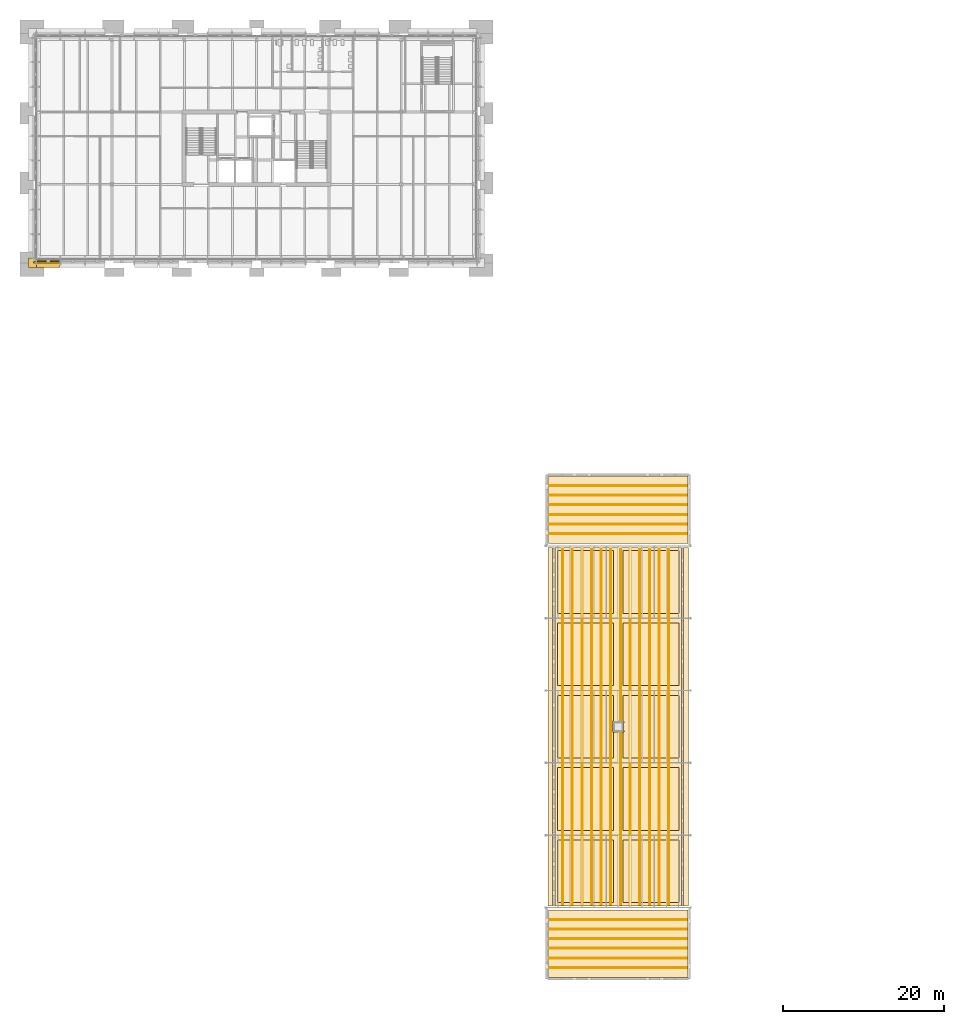
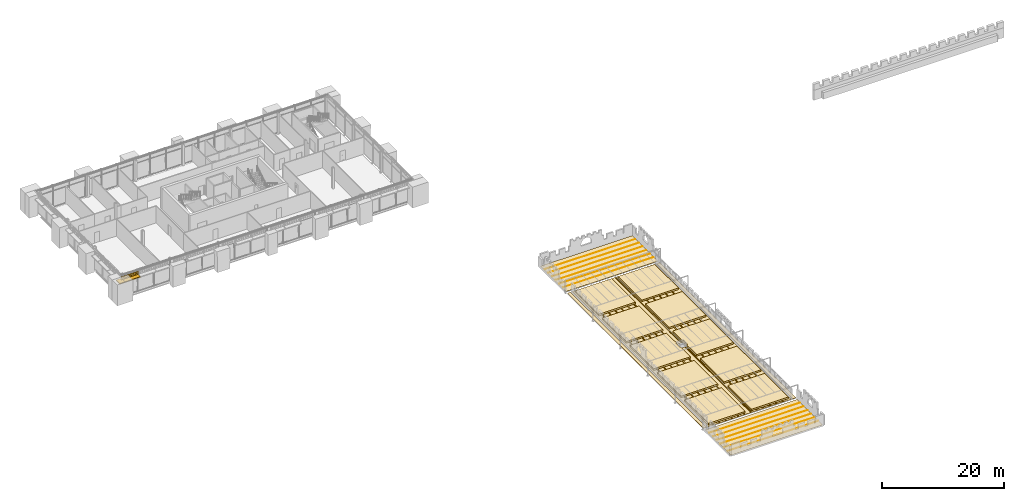
# One storey, part 30 of 37: 40 coverings, 3 shading devices.
"""IFC4 building model written with IfcOpenShell, lengths in metres."""

from ifc_helpers import new_model, si_unit, direction, frame, origin, origin_2d, place, context, subcontext, project, spatial, polyline, rectangle, outline, extrude, material, layer, layer_set, type_object, element, save


model = new_model("IFC4")

# Units and contexts
model_context = context("Model", 3, precision=1e-05, world=origin(), true_north=direction((0.0, 1.0)))
body_context = subcontext(model_context, "Body", "Model", "MODEL_VIEW")
ifc_project = project(units=[si_unit("LENGTHUNIT", "METRE"), si_unit("AREAUNIT", "SQUARE_METRE"), si_unit("VOLUMEUNIT", "CUBIC_METRE"), si_unit("PLANEANGLEUNIT", "RADIAN"), si_unit("MASSUNIT", "GRAM", prefix="KILO")], contexts=[model_context])

# Site, building, storey
site_placement = place(None, origin())
site = spatial("IfcSite", under=ifc_project, at=site_placement, CompositionType="ELEMENT")
building_placement = place(site_placement, origin())
building = spatial("IfcBuilding", under=site, at=building_placement, Name="Baradari Gate Terminus", CompositionType="ELEMENT")
storey_placement = place(building_placement, frame((0.0, 0.0, 24.300048828125)))
storey = spatial("IfcBuildingStorey", under=building, at=storey_placement, Name="L05", CompositionType="ELEMENT", Elevation=24.300048828125)

# Shading devices
ifc_material_1 = material(Name="Concrete C40/50 precast", Category="concrete")
ifc_layer_1 = layer(ifc_material_1, 0.14990234375)
ifc_layer_set_1 = layer_set([ifc_layer_1], Name="Concrete C40/50 precast")
shading_device_type_1 = type_object("IfcShadingDeviceType", Name="Chhajja band CJ-1 900x150", PredefinedType="AWNING", material=ifc_layer_set_1)
shading_device_1_placement = place(storey_placement, frame((10.072265625, 116.080078125, 3.33251953125), z_axis=(0.0, 0.0, 1.0), x_axis=(1.0, 0.0, 0.0)))
element("IfcShadingDevice", 1, at=shading_device_1_placement, inside=storey, type_object=shading_device_type_1, Name="Chhajja band CJ-1 L05/TS bay 1", PredefinedType="AWNING", context=body_context, shape_type="SweptSolid", body=[
    extrude(rectangle(XDim=2.939697265625, YDim=0.89990234375, at=origin_2d()), origin(), (0.0, 0.0, 1.0), 0.14990234375),
])
shading_device_2_placement = place(storey_placement, frame((0.0, 0.0, 3.33251953125)))
element("IfcShadingDevice", 2, at=shading_device_2_placement, inside=storey, type_object=shading_device_type_1, Name="Chhajja band CJ-1 L05/SW corner", PredefinedType="AWNING", context=body_context, shape_type="SweptSolid", body=[
    extrude(outline(polyline([(7.6298828125, 116.802490234375), (8.530029296875, 116.802490234375), (8.530029296875, 116.530029296875), (8.6025390625, 116.530029296875), (8.6025390625, 115.6298828125), (7.6298828125, 115.6298828125), (7.6298828125, 116.802490234375)])), origin(), (0.0, 0.0, 1.0), 0.14990234375),
])
ifc_material_2 = material(Name="Concrete C50/60 precast", Category="concrete")
ifc_layer_2 = layer(ifc_material_2, 0.10009765625)
ifc_layer_set_2 = layer_set([ifc_layer_2], Name="Concrete C50/60 precast")
shading_device_type_2 = type_object("IfcShadingDeviceType", Name="Jali screen panel JS-1 100", PredefinedType="SHUTTER", material=ifc_layer_set_2)
shading_device_3_placement = place(storey_placement, frame((8.262451171875, 116.280029296875, 3.583740234375), z_axis=(0.0, 0.0, 1.0), x_axis=(1.0, 0.0, 0.0)))
element("IfcShadingDevice", 3, at=shading_device_3_placement, inside=storey, type_object=shading_device_type_2, Name="Jali screen panel JS-1 L05/TS bay 1", PredefinedType="SHUTTER", context=body_context, shape_type="SweptSolid", body=[
    extrude(outline(polyline([(0.0, 0.0), (3.2998046875, 0.0), (3.2998046875, 0.599853515625), (0.0, 0.599853515625), (0.0, 0.0)]), holes=[polyline([(0.336181640625, 0.300048828125), (0.271240234375, 0.187255859375), (0.14111328125, 0.187255859375), (0.076171875, 0.300048828125), (0.14111328125, 0.41259765625), (0.271240234375, 0.41259765625), (0.336181640625, 0.300048828125)]), polyline([(0.748779296875, 0.300048828125), (0.68359375, 0.187255859375), (0.5537109375, 0.187255859375), (0.48876953125, 0.300048828125), (0.5537109375, 0.41259765625), (0.68359375, 0.41259765625), (0.748779296875, 0.300048828125)]), polyline([(1.1611328125, 0.300048828125), (1.09619140625, 0.187255859375), (0.966064453125, 0.187255859375), (0.901123046875, 0.300048828125), (0.966064453125, 0.41259765625), (1.09619140625, 0.41259765625), (1.1611328125, 0.300048828125)]), polyline([(1.57373046875, 0.300048828125), (1.508544921875, 0.187255859375), (1.378662109375, 0.187255859375), (1.313720703125, 0.300048828125), (1.378662109375, 0.41259765625), (1.508544921875, 0.41259765625), (1.57373046875, 0.300048828125)]), polyline([(1.986083984375, 0.300048828125), (1.921142578125, 0.187255859375), (1.791015625, 0.187255859375), (1.72607421875, 0.300048828125), (1.791015625, 0.41259765625), (1.921142578125, 0.41259765625), (1.986083984375, 0.300048828125)]), polyline([(2.3984375, 0.300048828125), (2.33349609375, 0.187255859375), (2.20361328125, 0.187255859375), (2.138671875, 0.300048828125), (2.20361328125, 0.41259765625), (2.33349609375, 0.41259765625), (2.3984375, 0.300048828125)]), polyline([(2.81103515625, 0.300048828125), (2.74609375, 0.187255859375), (2.615966796875, 0.187255859375), (2.551025390625, 0.300048828125), (2.615966796875, 0.41259765625), (2.74609375, 0.41259765625), (2.81103515625, 0.300048828125)]), polyline([(3.223388671875, 0.300048828125), (3.158447265625, 0.187255859375), (3.028564453125, 0.187255859375), (2.96337890625, 0.300048828125), (3.028564453125, 0.41259765625), (3.158447265625, 0.41259765625), (3.223388671875, 0.300048828125)])]), frame((0.0, 0.050048828125, 0.0), z_axis=(0.0, -1.0, 0.0), x_axis=(1.0, 0.0, 0.0)), (0.0, 0.0, 1.0), 0.10009765625),
])

# Coverings
ifc_material_3 = material(Name="Planted substrate")
ifc_layer_3 = layer(ifc_material_3, 0.35009765625)
ifc_layer_set_3 = layer_set([ifc_layer_3], Name="Planted substrate")
covering_type_1 = type_object("IfcCoveringType", Name="Planted roof bed GR-1 350", PredefinedType="USERDEFINED", material=ifc_layer_set_3)
covering_1_placement = place(storey_placement, origin())
element("IfcCovering", 4, at=covering_1_placement, inside=storey, type_object=covering_type_1, Name="RF/L05/GRG0101-1", ObjectType="PLANTED BED", PredefinedType="USERDEFINED", context=body_context, shape_type="SweptSolid", body=[
    extrude(outline(polyline([(80.39990234375, 36.60009765625), (73.449951171875, 36.60009765625), (73.449951171875, 44.39990234375), (80.39990234375, 44.39990234375), (80.39990234375, 36.60009765625)])), origin(), (0.0, 0.0, 1.0), 0.349853515625),
])
covering_2_placement = place(storey_placement, origin())
element("IfcCovering", 5, at=covering_2_placement, inside=storey, type_object=covering_type_1, Name="RF/L05/GRG0102-1", ObjectType="PLANTED BED", PredefinedType="USERDEFINED", context=body_context, shape_type="SweptSolid", body=[
    extrude(outline(polyline([(80.39990234375, 45.60009765625), (73.449951171875, 45.60009765625), (73.449951171875, 53.39990234375), (80.39990234375, 53.39990234375), (80.39990234375, 45.60009765625)])), origin(), (0.0, 0.0, 1.0), 0.349853515625),
])
covering_3_placement = place(storey_placement, origin())
element("IfcCovering", 6, at=covering_3_placement, inside=storey, type_object=covering_type_1, Name="RF/L05/GRG0103-1", ObjectType="PLANTED BED", PredefinedType="USERDEFINED", context=body_context, shape_type="SweptSolid", body=[
    extrude(outline(polyline([(80.39990234375, 59.179931640625), (80.349365234375, 59.179931640625), (80.339599609375, 59.179443359375), (80.32958984375, 59.177978515625), (80.319580078125, 59.175537109375), (80.309814453125, 59.172119140625), (80.300537109375, 59.16748046875), (80.29150390625, 59.162353515625), (80.283447265625, 59.15625), (80.275634765625, 59.1494140625), (80.268798828125, 59.1416015625), (80.2626953125, 59.13330078125), (80.25732421875, 59.12451171875), (80.2529296875, 59.115234375), (80.24951171875, 59.10546875), (80.2470703125, 59.095458984375), (80.24560546875, 59.085205078125), (80.2451171875, 59.074951171875), (80.24560546875, 59.064697265625), (80.2470703125, 59.054443359375), (80.24951171875, 59.04443359375), (80.2529296875, 59.034912109375), (80.25732421875, 59.025390625), (80.2626953125, 59.0166015625), (80.268798828125, 59.00830078125), (80.275634765625, 59.000732421875), (80.283447265625, 58.993896484375), (80.29150390625, 58.98779296875), (80.300537109375, 58.982421875), (80.309814453125, 58.97802734375), (80.319580078125, 58.974609375), (80.320068359375, 58.974365234375), (80.320068359375, 58.025634765625), (80.319580078125, 58.025390625), (80.309814453125, 58.02197265625), (80.300537109375, 58.017578125), (80.29150390625, 58.01220703125), (80.283447265625, 58.006103515625), (80.275634765625, 57.999267578125), (80.268798828125, 57.99169921875), (80.2626953125, 57.9833984375), (80.25732421875, 57.974609375), (80.2529296875, 57.965087890625), (80.24951171875, 57.95556640625), (80.2470703125, 57.945556640625), (80.24560546875, 57.935302734375), (80.2451171875, 57.925048828125), (80.24560546875, 57.914794921875), (80.2470703125, 57.904541015625), (80.24951171875, 57.89453125), (80.2529296875, 57.884765625), (80.25732421875, 57.87548828125), (80.2626953125, 57.86669921875), (80.268798828125, 57.8583984375), (80.275634765625, 57.8505859375), (80.283447265625, 57.84375), (80.29150390625, 57.837646484375), (80.300537109375, 57.83251953125), (80.309814453125, 57.827880859375), (80.319580078125, 57.824462890625), (80.32958984375, 57.822021484375), (80.339599609375, 57.820556640625), (80.349365234375, 57.820068359375), (80.39990234375, 57.820068359375), (80.39990234375, 54.60009765625), (73.449951171875, 54.60009765625), (73.449951171875, 62.39990234375), (80.39990234375, 62.39990234375), (80.39990234375, 59.179931640625)])), origin(), (0.0, 0.0, 1.0), 0.349853515625),
])
covering_4_placement = place(storey_placement, origin())
element("IfcCovering", 7, at=covering_4_placement, inside=storey, type_object=covering_type_1, Name="RF/L05/GRG0104-1", ObjectType="PLANTED BED", PredefinedType="USERDEFINED", context=body_context, shape_type="SweptSolid", body=[
    extrude(outline(polyline([(80.39990234375, 63.60009765625), (73.449951171875, 63.60009765625), (73.449951171875, 71.39990234375), (80.39990234375, 71.39990234375), (80.39990234375, 63.60009765625)])), origin(), (0.0, 0.0, 1.0), 0.349853515625),
])
covering_5_placement = place(storey_placement, origin())
element("IfcCovering", 8, at=covering_5_placement, inside=storey, type_object=covering_type_1, Name="RF/L05/GRG0105-1", ObjectType="PLANTED BED", PredefinedType="USERDEFINED", context=body_context, shape_type="SweptSolid", body=[
    extrude(outline(polyline([(73.449951171875, 72.60009765625), (73.449951171875, 80.39990234375), (80.39990234375, 80.39990234375), (80.39990234375, 72.60009765625), (73.449951171875, 72.60009765625)])), origin(), (0.0, 0.0, 1.0), 0.349853515625),
])
covering_6_placement = place(storey_placement, origin())
element("IfcCovering", 9, at=covering_6_placement, inside=storey, type_object=covering_type_1, Name="RF/L05/GRG0201-1", ObjectType="PLANTED BED", PredefinedType="USERDEFINED", context=body_context, shape_type="SweptSolid", body=[
    extrude(outline(polyline([(88.550048828125, 44.39990234375), (88.550048828125, 36.60009765625), (81.60009765625, 36.60009765625), (81.60009765625, 44.39990234375), (88.550048828125, 44.39990234375)])), origin(), (0.0, 0.0, 1.0), 0.349853515625),
])
covering_7_placement = place(storey_placement, origin())
element("IfcCovering", 10, at=covering_7_placement, inside=storey, type_object=covering_type_1, Name="RF/L05/GRG0202-1", ObjectType="PLANTED BED", PredefinedType="USERDEFINED", context=body_context, shape_type="SweptSolid", body=[
    extrude(outline(polyline([(81.60009765625, 53.39990234375), (88.550048828125, 53.39990234375), (88.550048828125, 45.60009765625), (81.60009765625, 45.60009765625), (81.60009765625, 53.39990234375)])), origin(), (0.0, 0.0, 1.0), 0.349853515625),
])
covering_8_placement = place(storey_placement, origin())
element("IfcCovering", 11, at=covering_8_placement, inside=storey, type_object=covering_type_1, Name="RF/L05/GRG0203-1", ObjectType="PLANTED BED", PredefinedType="USERDEFINED", context=body_context, shape_type="SweptSolid", body=[
    extrude(outline(polyline([(81.60009765625, 57.820068359375), (81.650634765625, 57.820068359375), (81.660400390625, 57.820556640625), (81.67041015625, 57.822021484375), (81.680419921875, 57.824462890625), (81.690185546875, 57.827880859375), (81.699462890625, 57.83251953125), (81.70849609375, 57.837646484375), (81.716552734375, 57.84375), (81.724365234375, 57.8505859375), (81.731201171875, 57.8583984375), (81.7373046875, 57.86669921875), (81.74267578125, 57.87548828125), (81.7470703125, 57.884765625), (81.75048828125, 57.89453125), (81.7529296875, 57.904541015625), (81.75439453125, 57.914794921875), (81.7548828125, 57.925048828125), (81.75439453125, 57.935302734375), (81.7529296875, 57.945556640625), (81.75048828125, 57.95556640625), (81.7470703125, 57.965087890625), (81.74267578125, 57.974609375), (81.7373046875, 57.9833984375), (81.731201171875, 57.99169921875), (81.724365234375, 57.999267578125), (81.716552734375, 58.006103515625), (81.70849609375, 58.01220703125), (81.699462890625, 58.017578125), (81.690185546875, 58.02197265625), (81.680419921875, 58.025390625), (81.679931640625, 58.025634765625), (81.679931640625, 58.974365234375), (81.680419921875, 58.974609375), (81.690185546875, 58.97802734375), (81.699462890625, 58.982421875), (81.70849609375, 58.98779296875), (81.716552734375, 58.993896484375), (81.724365234375, 59.000732421875), (81.731201171875, 59.00830078125), (81.7373046875, 59.0166015625), (81.74267578125, 59.025390625), (81.7470703125, 59.034912109375), (81.75048828125, 59.04443359375), (81.7529296875, 59.054443359375), (81.75439453125, 59.064697265625), (81.7548828125, 59.074951171875), (81.75439453125, 59.085205078125), (81.7529296875, 59.095458984375), (81.75048828125, 59.10546875), (81.7470703125, 59.115234375), (81.74267578125, 59.12451171875), (81.7373046875, 59.13330078125), (81.731201171875, 59.1416015625), (81.724365234375, 59.1494140625), (81.716552734375, 59.15625), (81.70849609375, 59.162353515625), (81.699462890625, 59.16748046875), (81.690185546875, 59.172119140625), (81.680419921875, 59.175537109375), (81.67041015625, 59.177978515625), (81.660400390625, 59.179443359375), (81.650634765625, 59.179931640625), (81.60009765625, 59.179931640625), (81.60009765625, 62.39990234375), (88.550048828125, 62.39990234375), (88.550048828125, 54.60009765625), (81.60009765625, 54.60009765625), (81.60009765625, 57.820068359375)])), origin(), (0.0, 0.0, 1.0), 0.349853515625),
])
covering_9_placement = place(storey_placement, origin())
element("IfcCovering", 12, at=covering_9_placement, inside=storey, type_object=covering_type_1, Name="RF/L05/GRG0204-1", ObjectType="PLANTED BED", PredefinedType="USERDEFINED", context=body_context, shape_type="SweptSolid", body=[
    extrude(outline(polyline([(81.60009765625, 71.39990234375), (88.550048828125, 71.39990234375), (88.550048828125, 63.60009765625), (81.60009765625, 63.60009765625), (81.60009765625, 71.39990234375)])), origin(), (0.0, 0.0, 1.0), 0.349853515625),
])
covering_10_placement = place(storey_placement, origin())
element("IfcCovering", 13, at=covering_10_placement, inside=storey, type_object=covering_type_1, Name="RF/L05/GRG0205-1", ObjectType="PLANTED BED", PredefinedType="USERDEFINED", context=body_context, shape_type="SweptSolid", body=[
    extrude(outline(polyline([(81.60009765625, 80.39990234375), (88.550048828125, 80.39990234375), (88.550048828125, 72.60009765625), (81.60009765625, 72.60009765625), (81.60009765625, 80.39990234375)])), origin(), (0.0, 0.0, 1.0), 0.349853515625),
])
ifc_material_4 = material(Name="Terracotta paving", Category="masonry")
ifc_layer_4 = layer(ifc_material_4, 0.030029296875)
ifc_layer_set_4 = layer_set([ifc_layer_4], Name="Terracotta paving")
covering_type_2 = type_object("IfcCoveringType", Name="Terracotta paving RP-1 30", PredefinedType="FLOORING", material=ifc_layer_set_4)
covering_11_placement = place(storey_placement, origin())
element("IfcCovering", 14, at=covering_11_placement, inside=storey, type_object=covering_type_2, Name="Terracotta paving RP-1 gate-roof", PredefinedType="FLOORING", context=body_context, shape_type="SweptSolid", body=[
    extrude(outline(polyline([(72.85009765625, 36.199951171875), (72.25, 36.199951171875), (72.25, 80.800048828125), (72.85009765625, 80.800048828125), (72.85009765625, 36.199951171875)])), origin(), (0.0, 0.0, 1.0), 0.030029296875),
])
covering_12_placement = place(storey_placement, origin())
element("IfcCovering", 15, at=covering_12_placement, inside=storey, type_object=covering_type_2, Name="Terracotta paving RP-1 gate-roof", PredefinedType="FLOORING", context=body_context, shape_type="SweptSolid", body=[
    extrude(outline(polyline([(73.14990234375, 36.199951171875), (73.14990234375, 80.800048828125), (88.85009765625, 80.800048828125), (88.85009765625, 36.199951171875), (73.14990234375, 36.199951171875)]), holes=[polyline([(81.64990234375, 57.85009765625), (81.64990234375, 59.14990234375), (80.35009765625, 59.14990234375), (80.35009765625, 57.85009765625), (81.64990234375, 57.85009765625)])]), origin(), (0.0, 0.0, 1.0), 0.030029296875),
])
covering_13_placement = place(storey_placement, origin())
element("IfcCovering", 16, at=covering_13_placement, inside=storey, type_object=covering_type_2, Name="Terracotta paving RP-1 gate-roof", PredefinedType="FLOORING", context=body_context, shape_type="SweptSolid", body=[
    extrude(outline(polyline([(89.14990234375, 36.199951171875), (89.14990234375, 80.800048828125), (89.75, 80.800048828125), (89.75, 36.199951171875), (89.14990234375, 36.199951171875)])), origin(), (0.0, 0.0, 1.0), 0.030029296875),
])
covering_14_placement = place(storey_placement, origin())
element("IfcCovering", 17, at=covering_14_placement, inside=storey, type_object=covering_type_2, Name="Terracotta paving RP-1 roof-gn", PredefinedType="FLOORING", context=body_context, shape_type="SweptSolid", body=[
    extrude(outline(polyline([(89.699951171875, 81.300048828125), (72.300048828125, 81.300048828125), (72.300048828125, 89.699951171875), (89.699951171875, 89.699951171875), (89.699951171875, 81.300048828125)])), origin(), (0.0, 0.0, 1.0), 0.030029296875),
])
covering_15_placement = place(storey_placement, origin())
element("IfcCovering", 18, at=covering_15_placement, inside=storey, type_object=covering_type_2, Name="Terracotta paving RP-1 roof-gs", PredefinedType="FLOORING", context=body_context, shape_type="SweptSolid", body=[
    extrude(outline(polyline([(89.699951171875, 35.699951171875), (89.699951171875, 27.300048828125), (72.300048828125, 27.300048828125), (72.300048828125, 35.699951171875), (89.699951171875, 35.699951171875)])), origin(), (0.0, 0.0, 1.0), 0.030029296875),
])
ifc_material_5 = material(Name="Terracotta paving", Category="masonry")
ifc_layer_5 = layer(ifc_material_5, 0.050048828125)
ifc_layer_set_5 = layer_set([ifc_layer_5], Name="Terracotta paving")
covering_type_3 = type_object("IfcCoveringType", Name="Terracotta tile course RP-2 50", PredefinedType="FLOORING", material=ifc_layer_set_5)
covering_16_placement = place(storey_placement, frame((0.0, 0.0, 0.030029296875)))
element("IfcCovering", 19, at=covering_16_placement, inside=storey, type_object=covering_type_3, Name="Terracotta tile course RP-2 gate-roof-P2", PredefinedType="FLOORING", context=body_context, shape_type="SweptSolid", body=[
    extrude(outline(polyline([(74.159912109375, 36.35009765625), (74.159912109375, 80.64990234375), (74.0400390625, 80.64990234375), (74.0400390625, 36.35009765625), (74.159912109375, 36.35009765625)])), origin(), (0.0, 0.0, 1.0), 0.0498046875),
])
covering_17_placement = place(storey_placement, frame((0.0, 0.0, 0.030029296875)))
element("IfcCovering", 20, at=covering_17_placement, inside=storey, type_object=covering_type_3, Name="Terracotta tile course RP-2 gate-roof-P2", PredefinedType="FLOORING", context=body_context, shape_type="SweptSolid", body=[
    extrude(outline(polyline([(75.360107421875, 36.35009765625), (75.360107421875, 80.64990234375), (75.239990234375, 80.64990234375), (75.239990234375, 36.35009765625), (75.360107421875, 36.35009765625)])), origin(), (0.0, 0.0, 1.0), 0.0498046875),
])
covering_18_placement = place(storey_placement, frame((0.0, 0.0, 0.030029296875)))
element("IfcCovering", 21, at=covering_18_placement, inside=storey, type_object=covering_type_3, Name="Terracotta tile course RP-2 gate-roof-P2", PredefinedType="FLOORING", context=body_context, shape_type="SweptSolid", body=[
    extrude(outline(polyline([(76.56005859375, 36.35009765625), (76.56005859375, 80.64990234375), (76.43994140625, 80.64990234375), (76.43994140625, 36.35009765625), (76.56005859375, 36.35009765625)])), origin(), (0.0, 0.0, 1.0), 0.0498046875),
])
covering_19_placement = place(storey_placement, frame((0.0, 0.0, 0.030029296875)))
element("IfcCovering", 22, at=covering_19_placement, inside=storey, type_object=covering_type_3, Name="Terracotta tile course RP-2 gate-roof-P2", PredefinedType="FLOORING", context=body_context, shape_type="SweptSolid", body=[
    extrude(outline(polyline([(77.760009765625, 36.35009765625), (77.760009765625, 80.64990234375), (77.639892578125, 80.64990234375), (77.639892578125, 36.35009765625), (77.760009765625, 36.35009765625)])), origin(), (0.0, 0.0, 1.0), 0.0498046875),
])
covering_20_placement = place(storey_placement, frame((0.0, 0.0, 0.030029296875)))
element("IfcCovering", 23, at=covering_20_placement, inside=storey, type_object=covering_type_3, Name="Terracotta tile course RP-2 gate-roof-P2", PredefinedType="FLOORING", context=body_context, shape_type="SweptSolid", body=[
    extrude(outline(polyline([(78.9599609375, 36.35009765625), (78.9599609375, 80.64990234375), (78.840087890625, 80.64990234375), (78.840087890625, 36.35009765625), (78.9599609375, 36.35009765625)])), origin(), (0.0, 0.0, 1.0), 0.0498046875),
])
covering_21_placement = place(storey_placement, frame((0.0, 0.0, 0.030029296875)))
element("IfcCovering", 24, at=covering_21_placement, inside=storey, type_object=covering_type_3, Name="Terracotta tile course RP-2 gate-roof-P2", PredefinedType="FLOORING", context=body_context, shape_type="SweptSolid", body=[
    extrude(outline(polyline([(80.159912109375, 36.35009765625), (80.159912109375, 80.64990234375), (80.0400390625, 80.64990234375), (80.0400390625, 36.35009765625), (80.159912109375, 36.35009765625)])), origin(), (0.0, 0.0, 1.0), 0.0498046875),
])
covering_22_placement = place(storey_placement, frame((0.0, 0.0, 0.030029296875)))
element("IfcCovering", 25, at=covering_22_placement, inside=storey, type_object=covering_type_3, Name="Terracotta tile course RP-2 gate-roof-P2", PredefinedType="FLOORING", context=body_context, shape_type="SweptSolid", body=[
    extrude(outline(polyline([(81.360107421875, 59.300048828125), (81.360107421875, 80.64990234375), (81.239990234375, 80.64990234375), (81.239990234375, 59.300048828125), (81.360107421875, 59.300048828125)])), origin(), (0.0, 0.0, 1.0), 0.0498046875),
])
covering_23_placement = place(storey_placement, frame((0.0, 0.0, 0.030029296875)))
element("IfcCovering", 26, at=covering_23_placement, inside=storey, type_object=covering_type_3, Name="Terracotta tile course RP-2 gate-roof-P2", PredefinedType="FLOORING", context=body_context, shape_type="SweptSolid", body=[
    extrude(outline(polyline([(81.360107421875, 36.35009765625), (81.360107421875, 57.699951171875), (81.239990234375, 57.699951171875), (81.239990234375, 36.35009765625), (81.360107421875, 36.35009765625)])), origin(), (0.0, 0.0, 1.0), 0.0498046875),
])
covering_24_placement = place(storey_placement, frame((0.0, 0.0, 0.030029296875)))
element("IfcCovering", 27, at=covering_24_placement, inside=storey, type_object=covering_type_3, Name="Terracotta tile course RP-2 gate-roof-P2", PredefinedType="FLOORING", context=body_context, shape_type="SweptSolid", body=[
    extrude(outline(polyline([(82.56005859375, 36.35009765625), (82.56005859375, 80.64990234375), (82.43994140625, 80.64990234375), (82.43994140625, 36.35009765625), (82.56005859375, 36.35009765625)])), origin(), (0.0, 0.0, 1.0), 0.0498046875),
])
covering_25_placement = place(storey_placement, frame((0.0, 0.0, 0.030029296875)))
element("IfcCovering", 28, at=covering_25_placement, inside=storey, type_object=covering_type_3, Name="Terracotta tile course RP-2 gate-roof-P2", PredefinedType="FLOORING", context=body_context, shape_type="SweptSolid", body=[
    extrude(outline(polyline([(83.760009765625, 36.35009765625), (83.760009765625, 80.64990234375), (83.639892578125, 80.64990234375), (83.639892578125, 36.35009765625), (83.760009765625, 36.35009765625)])), origin(), (0.0, 0.0, 1.0), 0.0498046875),
])
covering_26_placement = place(storey_placement, frame((0.0, 0.0, 0.030029296875)))
element("IfcCovering", 29, at=covering_26_placement, inside=storey, type_object=covering_type_3, Name="Terracotta tile course RP-2 gate-roof-P2", PredefinedType="FLOORING", context=body_context, shape_type="SweptSolid", body=[
    extrude(outline(polyline([(84.9599609375, 36.35009765625), (84.9599609375, 80.64990234375), (84.840087890625, 80.64990234375), (84.840087890625, 36.35009765625), (84.9599609375, 36.35009765625)])), origin(), (0.0, 0.0, 1.0), 0.0498046875),
])
covering_27_placement = place(storey_placement, frame((0.0, 0.0, 0.030029296875)))
element("IfcCovering", 30, at=covering_27_placement, inside=storey, type_object=covering_type_3, Name="Terracotta tile course RP-2 gate-roof-P2", PredefinedType="FLOORING", context=body_context, shape_type="SweptSolid", body=[
    extrude(outline(polyline([(86.159912109375, 36.35009765625), (86.159912109375, 80.64990234375), (86.0400390625, 80.64990234375), (86.0400390625, 36.35009765625), (86.159912109375, 36.35009765625)])), origin(), (0.0, 0.0, 1.0), 0.0498046875),
])
covering_28_placement = place(storey_placement, frame((0.0, 0.0, 0.030029296875)))
element("IfcCovering", 31, at=covering_28_placement, inside=storey, type_object=covering_type_3, Name="Terracotta tile course RP-2 gate-roof-P2", PredefinedType="FLOORING", context=body_context, shape_type="SweptSolid", body=[
    extrude(outline(polyline([(87.360107421875, 36.35009765625), (87.360107421875, 80.64990234375), (87.239990234375, 80.64990234375), (87.239990234375, 36.35009765625), (87.360107421875, 36.35009765625)])), origin(), (0.0, 0.0, 1.0), 0.0498046875),
])
covering_29_placement = place(storey_placement, frame((0.0, 0.0, 0.030029296875)))
element("IfcCovering", 32, at=covering_29_placement, inside=storey, type_object=covering_type_3, Name="Terracotta tile course RP-2 roof-gn", PredefinedType="FLOORING", context=body_context, shape_type="SweptSolid", body=[
    extrude(outline(polyline([(89.550048828125, 82.43994140625), (89.550048828125, 82.56005859375), (72.449951171875, 82.56005859375), (72.449951171875, 82.43994140625), (89.550048828125, 82.43994140625)])), origin(), (0.0, 0.0, 1.0), 0.0498046875),
])
covering_30_placement = place(storey_placement, frame((0.0, 0.0, 0.030029296875)))
element("IfcCovering", 33, at=covering_30_placement, inside=storey, type_object=covering_type_3, Name="Terracotta tile course RP-2 roof-gn", PredefinedType="FLOORING", context=body_context, shape_type="SweptSolid", body=[
    extrude(outline(polyline([(89.550048828125, 83.639892578125), (89.550048828125, 83.760009765625), (72.449951171875, 83.760009765625), (72.449951171875, 83.639892578125), (89.550048828125, 83.639892578125)])), origin(), (0.0, 0.0, 1.0), 0.0498046875),
])
covering_31_placement = place(storey_placement, frame((0.0, 0.0, 0.030029296875)))
element("IfcCovering", 34, at=covering_31_placement, inside=storey, type_object=covering_type_3, Name="Terracotta tile course RP-2 roof-gn", PredefinedType="FLOORING", context=body_context, shape_type="SweptSolid", body=[
    extrude(outline(polyline([(89.550048828125, 84.840087890625), (89.550048828125, 84.9599609375), (72.449951171875, 84.9599609375), (72.449951171875, 84.840087890625), (89.550048828125, 84.840087890625)])), origin(), (0.0, 0.0, 1.0), 0.0498046875),
])
covering_32_placement = place(storey_placement, frame((0.0, 0.0, 0.030029296875)))
element("IfcCovering", 35, at=covering_32_placement, inside=storey, type_object=covering_type_3, Name="Terracotta tile course RP-2 roof-gn", PredefinedType="FLOORING", context=body_context, shape_type="SweptSolid", body=[
    extrude(outline(polyline([(89.550048828125, 86.0400390625), (89.550048828125, 86.159912109375), (72.449951171875, 86.159912109375), (72.449951171875, 86.0400390625), (89.550048828125, 86.0400390625)])), origin(), (0.0, 0.0, 1.0), 0.0498046875),
])
covering_33_placement = place(storey_placement, frame((0.0, 0.0, 0.030029296875)))
element("IfcCovering", 36, at=covering_33_placement, inside=storey, type_object=covering_type_3, Name="Terracotta tile course RP-2 roof-gn", PredefinedType="FLOORING", context=body_context, shape_type="SweptSolid", body=[
    extrude(outline(polyline([(89.550048828125, 87.239990234375), (89.550048828125, 87.360107421875), (72.449951171875, 87.360107421875), (72.449951171875, 87.239990234375), (89.550048828125, 87.239990234375)])), origin(), (0.0, 0.0, 1.0), 0.0498046875),
])
covering_34_placement = place(storey_placement, frame((0.0, 0.0, 0.030029296875)))
element("IfcCovering", 37, at=covering_34_placement, inside=storey, type_object=covering_type_3, Name="Terracotta tile course RP-2 roof-gn", PredefinedType="FLOORING", context=body_context, shape_type="SweptSolid", body=[
    extrude(outline(polyline([(89.550048828125, 88.43994140625), (89.550048828125, 88.56005859375), (72.449951171875, 88.56005859375), (72.449951171875, 88.43994140625), (89.550048828125, 88.43994140625)])), origin(), (0.0, 0.0, 1.0), 0.0498046875),
])
covering_35_placement = place(storey_placement, frame((0.0, 0.0, 0.030029296875)))
element("IfcCovering", 38, at=covering_35_placement, inside=storey, type_object=covering_type_3, Name="Terracotta tile course RP-2 roof-gs", PredefinedType="FLOORING", context=body_context, shape_type="SweptSolid", body=[
    extrude(outline(polyline([(89.550048828125, 28.43994140625), (89.550048828125, 28.56005859375), (72.449951171875, 28.56005859375), (72.449951171875, 28.43994140625), (89.550048828125, 28.43994140625)])), origin(), (0.0, 0.0, 1.0), 0.0498046875),
])
covering_36_placement = place(storey_placement, frame((0.0, 0.0, 0.030029296875)))
element("IfcCovering", 39, at=covering_36_placement, inside=storey, type_object=covering_type_3, Name="Terracotta tile course RP-2 roof-gs", PredefinedType="FLOORING", context=body_context, shape_type="SweptSolid", body=[
    extrude(outline(polyline([(89.550048828125, 29.639892578125), (89.550048828125, 29.760009765625), (72.449951171875, 29.760009765625), (72.449951171875, 29.639892578125), (89.550048828125, 29.639892578125)])), origin(), (0.0, 0.0, 1.0), 0.0498046875),
])
covering_37_placement = place(storey_placement, frame((0.0, 0.0, 0.030029296875)))
element("IfcCovering", 40, at=covering_37_placement, inside=storey, type_object=covering_type_3, Name="Terracotta tile course RP-2 roof-gs", PredefinedType="FLOORING", context=body_context, shape_type="SweptSolid", body=[
    extrude(outline(polyline([(89.550048828125, 30.840087890625), (89.550048828125, 30.9599609375), (72.449951171875, 30.9599609375), (72.449951171875, 30.840087890625), (89.550048828125, 30.840087890625)])), origin(), (0.0, 0.0, 1.0), 0.0498046875),
])
covering_38_placement = place(storey_placement, frame((0.0, 0.0, 0.030029296875)))
element("IfcCovering", 41, at=covering_38_placement, inside=storey, type_object=covering_type_3, Name="Terracotta tile course RP-2 roof-gs", PredefinedType="FLOORING", context=body_context, shape_type="SweptSolid", body=[
    extrude(outline(polyline([(89.550048828125, 32.0400390625), (89.550048828125, 32.159912109375), (72.449951171875, 32.159912109375), (72.449951171875, 32.0400390625), (89.550048828125, 32.0400390625)])), origin(), (0.0, 0.0, 1.0), 0.0498046875),
])
covering_39_placement = place(storey_placement, frame((0.0, 0.0, 0.030029296875)))
element("IfcCovering", 42, at=covering_39_placement, inside=storey, type_object=covering_type_3, Name="Terracotta tile course RP-2 roof-gs", PredefinedType="FLOORING", context=body_context, shape_type="SweptSolid", body=[
    extrude(outline(polyline([(89.550048828125, 33.239990234375), (89.550048828125, 33.360107421875), (72.449951171875, 33.360107421875), (72.449951171875, 33.239990234375), (89.550048828125, 33.239990234375)])), origin(), (0.0, 0.0, 1.0), 0.0498046875),
])
covering_40_placement = place(storey_placement, frame((0.0, 0.0, 0.030029296875)))
element("IfcCovering", 43, at=covering_40_placement, inside=storey, type_object=covering_type_3, Name="Terracotta tile course RP-2 roof-gs", PredefinedType="FLOORING", context=body_context, shape_type="SweptSolid", body=[
    extrude(outline(polyline([(89.550048828125, 34.43994140625), (89.550048828125, 34.56005859375), (72.449951171875, 34.56005859375), (72.449951171875, 34.43994140625), (89.550048828125, 34.43994140625)])), origin(), (0.0, 0.0, 1.0), 0.0498046875),
])

save(model, "model.ifc")
